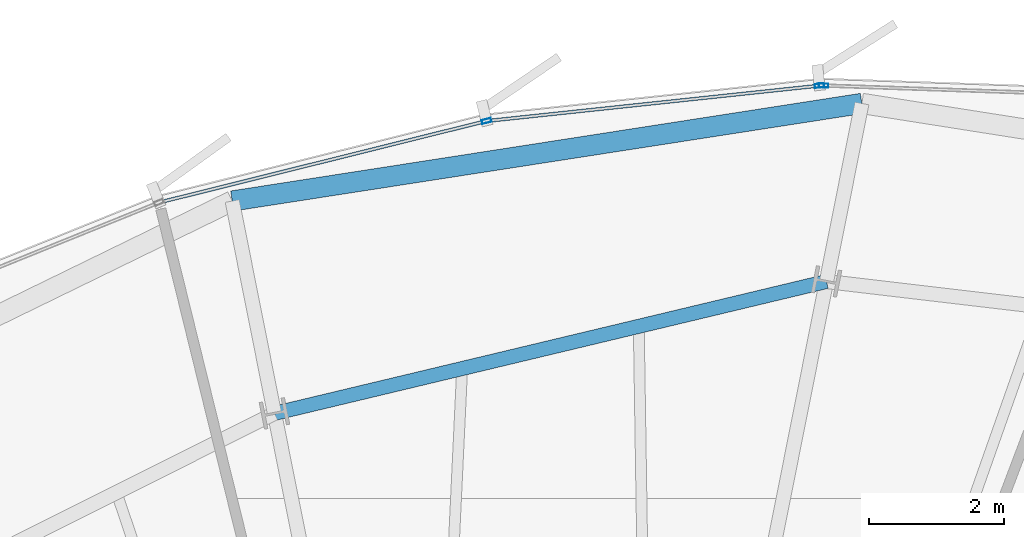
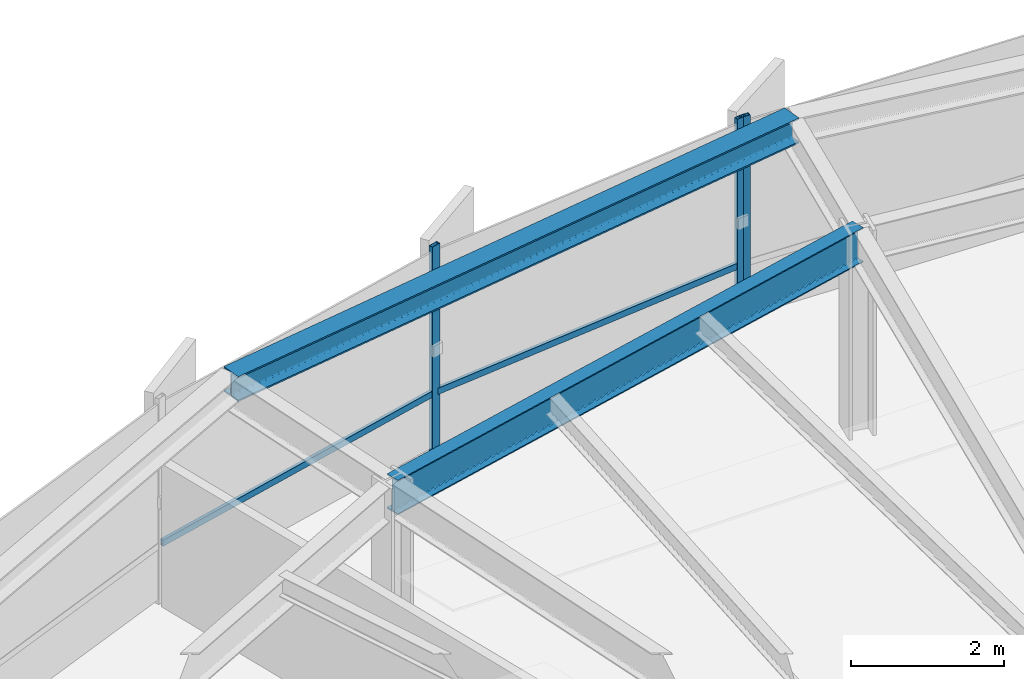
# One storey, part 23 of 35: 5 members, 2 beams, 2 elements without a shape of their own.
"""IFC4 building model written with IfcOpenShell, lengths in metres."""

from ifc_helpers import new_model, si_unit, direction, frame, origin, origin_2d, place, context, subcontext, project, spatial, hollow_rectangle, i_section, extrude, source, transform, mapped, material, layer, layer_set, material_profile, profile_set, type_object, element, aggregate, save


model = new_model("IFC4")

# Units and contexts
model_context = context("Model", 3, precision=1e-05, world=origin(), true_north=direction((0.0, 1.0)))
body_context = subcontext(model_context, "Body", "Model", "MODEL_VIEW")
ifc_project = project(units=[si_unit("LENGTHUNIT", "METRE"), si_unit("AREAUNIT", "SQUARE_METRE"), si_unit("VOLUMEUNIT", "CUBIC_METRE"), si_unit("PLANEANGLEUNIT", "RADIAN"), si_unit("MASSUNIT", "GRAM", prefix="KILO"), si_unit("THERMODYNAMICTEMPERATUREUNIT", "KELVIN")], contexts=[model_context])

# Site, building, storey
site_placement = place(None, origin())
site = spatial("IfcSite", under=ifc_project, at=site_placement, CompositionType="ELEMENT")
building_placement = place(site_placement, origin())
building = spatial("IfcBuilding", under=site, at=building_placement, Name="Kethvar Cultural Tower", CompositionType="ELEMENT")
storey_placement = place(building_placement, frame((0.0, 0.0, 139.449951171875)))
storey = spatial("IfcBuildingStorey", under=building, at=storey_placement, Name="L35", CompositionType="ELEMENT", Elevation=139.449951171875)

# Beams
ifc_material_1 = material(Name="Steel S355J2", Category="steel")
ifc_material_profile_1 = material_profile(ifc_material_1, i_section(OverallWidth=0.2099609375, OverallDepth=0.550048828125, WebThickness=0.010986328125, FlangeThickness=0.01708984375, FilletRadius=0.02392578125, at=origin_2d()), Name="Steel S355J2 — IPE550")
ifc_profile_set_1 = profile_set([ifc_material_profile_1], Name="Steel S355J2 — IPE550")
beam_type_1 = type_object("IfcBeamType", Name="BM-IPE550", PredefinedType="BEAM", material=ifc_profile_set_1)
shared_shape_1 = source(origin(), body_context, "Body", "SweptSolid", [
    extrude(i_section(OverallWidth=0.2099609375, OverallDepth=0.550048828125, WebThickness=0.010986328125, FlangeThickness=0.01708984375, FilletRadius=0.02392578125, at=origin_2d()), origin(), (0.0, 0.0, 1.0), 8.379150390625),
])
beam_1_placement = place(storey_placement, frame((51.068603515625, 49.25927734375, 3.02294921875), z_axis=(-0.972601380857, -0.232479147355, 0.0), x_axis=(0.232479147355, -0.972601380857, 0.0)))
element("IfcBeam", 1, at=beam_1_placement, inside=storey, type_object=beam_type_1, Name="L35 Column Ring Tie Beam CR-04", PredefinedType="BEAM", context=body_context, shape_type="MappedRepresentation", body=[
    mapped(shared_shape_1, transform((0.0, 0.0, 0.0), scale=1.0)),
])
ifc_material_profile_2 = material_profile(ifc_material_1, i_section(OverallWidth=0.300048828125, OverallDepth=0.39990234375, WebThickness=0.013427734375, FlangeThickness=0.02392578125, FilletRadius=0.027099609375, at=origin_2d()), Name="Steel S355J2 — HEB400")
ifc_profile_set_2 = profile_set([ifc_material_profile_2], Name="Steel S355J2 — HEB400")
beam_type_2 = type_object("IfcBeamType", Name="BM-SP400", PredefinedType="SPANDREL", material=ifc_profile_set_2)
shared_shape_2 = source(origin(), body_context, "Body", "SweptSolid", [
    extrude(i_section(OverallWidth=0.300048828125, OverallDepth=0.39990234375, WebThickness=0.013427734375, FlangeThickness=0.02392578125, FilletRadius=0.027099609375, at=origin_2d()), origin(), (0.0, 0.0, 1.0), 9.406982421875),
])
beam_2_placement = place(storey_placement, frame((51.59130859375, 51.887451171875, 3.09814453125), z_axis=(-0.988211232747, -0.153096569109, 0.0), x_axis=(0.153096569109, -0.988211232747, 0.0)))
element("IfcBeam", 2, at=beam_2_placement, inside=storey, type_object=beam_type_2, Name="L35 Perimeter Spandrel Beam SP-04", PredefinedType="SPANDREL", context=body_context, shape_type="MappedRepresentation", body=[
    mapped(shared_shape_2, transform((0.0, 0.0, 0.0), scale=1.0)),
])

# Curtain wall, member
ifc_material_2 = material(Name="Aluminium 6063-T6", Category="aluminium")
ifc_layer = layer(ifc_material_2, 0.179931640625, Name="Aluminium 6063-T6", Category="aluminium")
ifc_layer_set = layer_set([ifc_layer], Name="Aluminium 6063-T6 (180 mm)")
curtain_wall_type = type_object("IfcCurtainWallType", Name="CW-SYS-04-Z34", PredefinedType="NOTDEFINED", material=ifc_layer_set)
curtain_wall_1_placement = place(storey_placement, origin())
curtain_wall_1 = element("IfcCurtainWall", 3, at=curtain_wall_1_placement, inside=storey, type_object=curtain_wall_type, Name="L35 Curtain Wall Run 01", PredefinedType="NOTDEFINED")
ifc_material_profile_3 = material_profile(ifc_material_2, hollow_rectangle(XDim=0.06005859375, YDim=0.139892578125, WallThickness=0.0048828125, at=origin_2d()), Name="Aluminium 6063-T6 — RHS140x60x5")
ifc_profile_set_3 = profile_set([ifc_material_profile_3], Name="Aluminium 6063-T6 — RHS140x60x5")
member_type_1 = type_object("IfcMemberType", Name="CW-SYS-04-Z34-MUL", PredefinedType="MULLION", material=ifc_profile_set_3)
shared_shape_3 = source(origin(), body_context, "Body", "SweptSolid", [
    extrude(hollow_rectangle(XDim=0.06005859375, YDim=0.139892578125, WallThickness=0.0048828125, at=origin_2d()), origin(), (0.0, 0.0, 1.0), 3.300048828125),
])
member_1_placement = place(storey_placement, frame((51.027099609375, 52.152099609375, 0.0), z_axis=(0.0, 0.0, 1.0), x_axis=(-0.034393655101, -0.999408363227, 0.0)))
member_1 = element("IfcMember", 4, at=member_1_placement, type_object=member_type_1, Name="CW-L35-R01 Mullion 7", PredefinedType="MULLION", context=body_context, shape_type="MappedRepresentation", body=[
    mapped(shared_shape_3, transform((0.0, 0.0, 0.0), scale=1.0)),
])
aggregate(curtain_wall_1, [member_1])

# Curtain wall, members
curtain_wall_2_placement = place(storey_placement, origin())
curtain_wall_2 = element("IfcCurtainWall", 5, at=curtain_wall_2_placement, inside=storey, type_object=curtain_wall_type, Name="L35 Curtain Wall Run 02", PredefinedType="NOTDEFINED")
member_2_placement = place(storey_placement, frame((50.96484375, 52.14990234375, 0.0), z_axis=(0.0, 0.0, 1.0), x_axis=(0.105691356199, -0.994398982916, 0.0)))
member_2 = element("IfcMember", 6, at=member_2_placement, type_object=member_type_1, Name="CW-L35-R02 Mullion 1", PredefinedType="MULLION", context=body_context, shape_type="MappedRepresentation", body=[
    mapped(shared_shape_3, transform((0.0, 0.0, 0.0), scale=1.0)),
])
member_3_placement = place(storey_placement, frame((46.04931640625, 51.628662109375, 0.0), z_axis=(0.0, 0.0, 1.0), x_axis=(0.241684800408, -0.97035480998, 0.0)))
member_3 = element("IfcMember", 7, at=member_3_placement, type_object=member_type_1, Name="CW-L35-R02 Mullion 2", PredefinedType="MULLION", context=body_context, shape_type="MappedRepresentation", body=[
    mapped(shared_shape_3, transform((0.0, 0.0, 0.0), scale=1.0)),
])
ifc_material_profile_4 = material_profile(ifc_material_2, hollow_rectangle(XDim=0.050048828125, YDim=0.10009765625, WallThickness=0.00390625, at=origin_2d()), Name="Aluminium 6063-T6 — RHS100x50x4")
ifc_profile_set_4 = profile_set([ifc_material_profile_4], Name="Aluminium 6063-T6 — RHS100x50x4")
member_type_2 = type_object("IfcMemberType", Name="CW-SYS-04-Z34-TRN", PredefinedType="USERDEFINED", material=ifc_profile_set_4)
shared_shape_4 = source(origin(), body_context, "Body", "SweptSolid", [
    extrude(hollow_rectangle(XDim=0.050048828125, YDim=0.10009765625, WallThickness=0.00390625, at=origin_2d()), origin(), (0.0, 0.0, 1.0), 4.9111328125),
])
member_4_placement = place(storey_placement, frame((50.960693359375, 52.149658203125, 0.949951171875), z_axis=(-0.994399255922, -0.105688787586, 0.0), x_axis=(0.105688787586, -0.994399255922, 0.0)))
member_4 = element("IfcMember", 8, at=member_4_placement, type_object=member_type_2, Name="CW-L35-R02 Transom 1", ObjectType="TRANSOM", PredefinedType="USERDEFINED", context=body_context, shape_type="MappedRepresentation", body=[
    mapped(shared_shape_4, transform((0.0, 0.0, 0.0), scale=1.0)),
])
shared_shape_5 = source(origin(), body_context, "Body", "SweptSolid", [
    extrude(hollow_rectangle(XDim=0.050048828125, YDim=0.10009765625, WallThickness=0.00390625, at=origin_2d()), origin(), (0.0, 0.0, 1.0), 4.909423828125),
])
member_5_placement = place(storey_placement, frame((46.00732421875, 51.6181640625, 0.949951171875), z_axis=(-0.970355664908, -0.241681367881, 0.0), x_axis=(0.241681367881, -0.970355664908, 0.0)))
member_5 = element("IfcMember", 9, at=member_5_placement, type_object=member_type_2, Name="CW-L35-R02 Transom 2", ObjectType="TRANSOM", PredefinedType="USERDEFINED", context=body_context, shape_type="MappedRepresentation", body=[
    mapped(shared_shape_5, transform((0.0, 0.0, 0.0), scale=1.0)),
])
aggregate(curtain_wall_2, [member_2, member_3, member_4, member_5])

save(model, "model.ifc")
